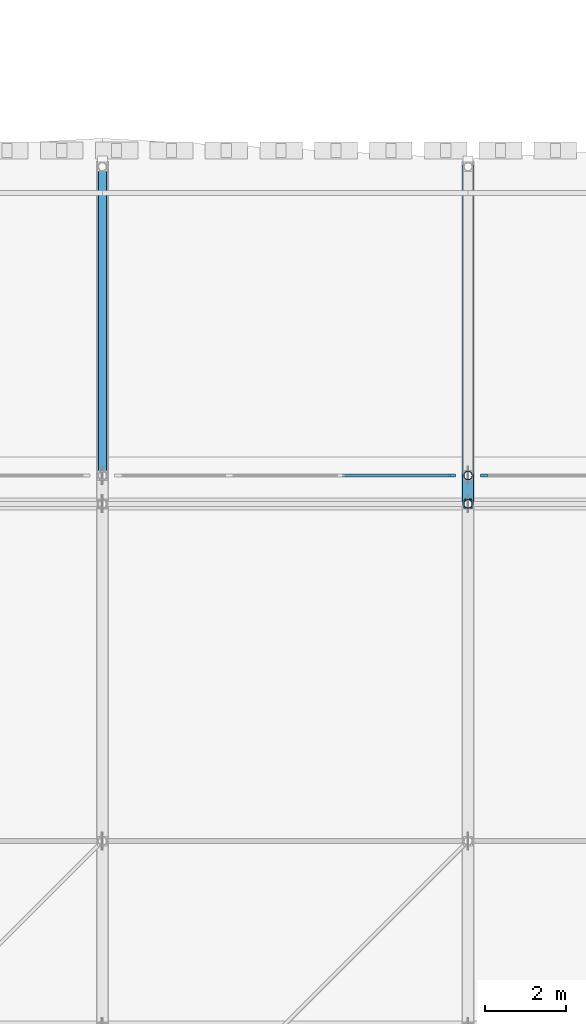
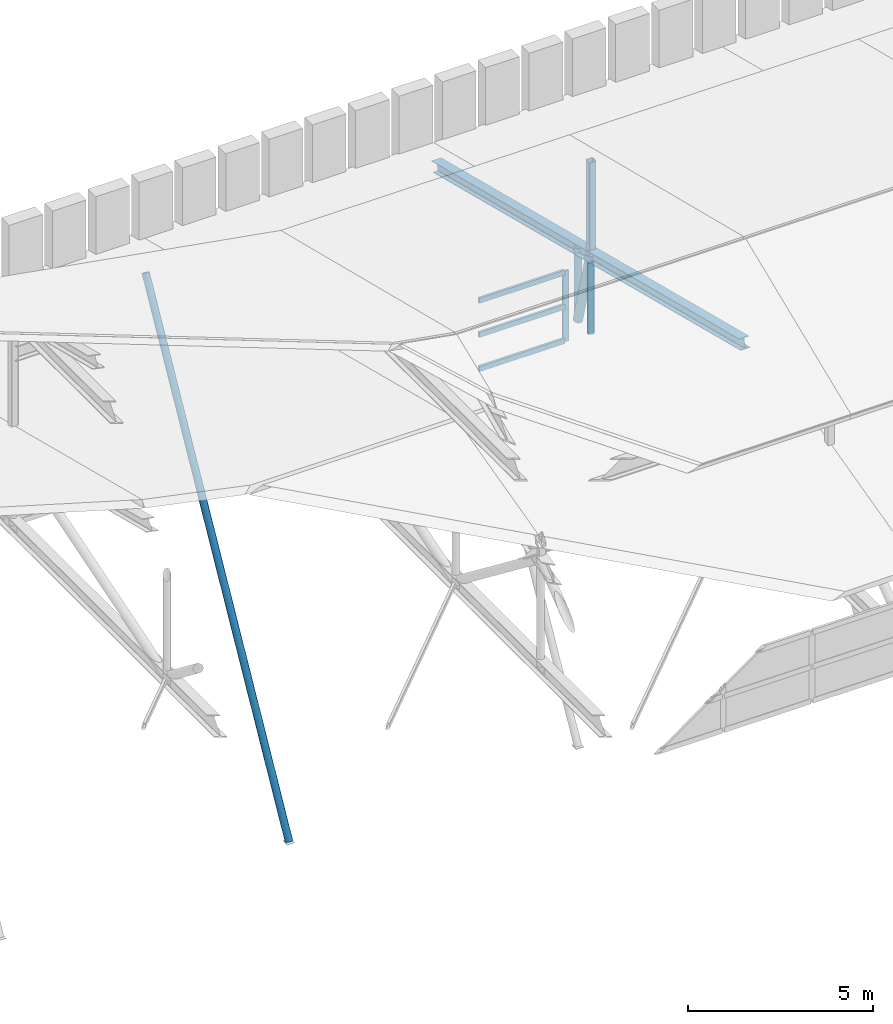
# One storey, part 9 of 42: 11 members, 2 elements without a shape of their own.
"""IFC4 building model written with IfcOpenShell, lengths in metres."""

from ifc_helpers import new_model, si_unit, direction, frame, origin, origin_2d, place, context, subcontext, project, spatial, rectangle, hollow_rectangle, hollow_circle, i_section, extrude, material, material_profile, profile_set, type_object, element, aggregate, save


model = new_model("IFC4")

# Units and contexts
model_context = context("Model", 3, precision=1e-05, world=origin(), true_north=direction((0.0, 1.0)))
body_context = subcontext(model_context, "Body", "Model", "MODEL_VIEW")
ifc_project = project(units=[si_unit("LENGTHUNIT", "METRE"), si_unit("AREAUNIT", "SQUARE_METRE"), si_unit("VOLUMEUNIT", "CUBIC_METRE"), si_unit("PLANEANGLEUNIT", "RADIAN"), si_unit("MASSUNIT", "GRAM", prefix="KILO")], contexts=[model_context])

# Site, building, storey
site_placement = place(None, origin())
site = spatial("IfcSite", under=ifc_project, at=site_placement, CompositionType="ELEMENT")
building_placement = place(site_placement, origin())
building = spatial("IfcBuilding", under=site, at=building_placement, Name="Bozkorgan Art Gallery", CompositionType="ELEMENT")
storey_placement = place(building_placement, frame((0.0, 0.0, 28.800048828125)))
storey = spatial("IfcBuildingStorey", under=building, at=storey_placement, Name="RF", CompositionType="ELEMENT", Elevation=28.800048828125)

# Curtain wall, member
ifc_material_1 = material(Name="Anodised Bronze Aluminium", Category="aluminium")
curtain_wall_type = type_object("IfcCurtainWallType", Name="CW-CW-28", PredefinedType="NOTDEFINED", material=ifc_material_1)
curtain_wall_1_placement = place(storey_placement, origin())
curtain_wall_1 = element("IfcCurtainWall", 1, at=curtain_wall_1_placement, inside=storey, type_object=curtain_wall_type, Name="RF unitised curtain wall CW-RF-V1-N-20", PredefinedType="NOTDEFINED")
ifc_material_profile_1 = material_profile(ifc_material_1, rectangle(XDim=0.06494140625, YDim=0.179931640625, at=origin_2d()), Name="ALU MULLION 65x180")
ifc_profile_set_1 = profile_set([ifc_material_profile_1], Name="Anodised Bronze Aluminium")
member_type_1 = type_object("IfcMemberType", Name="CWM-01", PredefinedType="MULLION", material=ifc_profile_set_1)
member_1_placement = place(storey_placement, frame((28.607421875, 20.0, -0.324951171875), z_axis=(0.0, 0.0, 1.0), x_axis=(0.0, 1.0, 0.0)))
member_1 = element("IfcMember", 2, at=member_1_placement, type_object=member_type_1, Name="CW-28 mullion 4", PredefinedType="MULLION", context=body_context, shape_type="SweptSolid", body=[
    extrude(rectangle(XDim=0.06494140625, YDim=0.179931640625, at=origin_2d()), origin(), (0.0, 0.0, 1.0), 2.324951171875),
])

curtain_wall_2_placement = place(storey_placement, origin())
curtain_wall_2 = element("IfcCurtainWall", 3, at=curtain_wall_2_placement, inside=storey, type_object=curtain_wall_type, Name="RF unitised curtain wall CW-RF-V1-N-29", PredefinedType="NOTDEFINED")
member_2_placement = place(storey_placement, frame((29.392578125, 20.0, -0.324951171875), z_axis=(0.0, 0.0, 1.0), x_axis=(0.0, 1.0, 0.0)))
member_2 = element("IfcMember", 4, at=member_2_placement, type_object=member_type_1, Name="CW-28 mullion 1", PredefinedType="MULLION", context=body_context, shape_type="SweptSolid", body=[
    extrude(rectangle(XDim=0.06494140625, YDim=0.179931640625, at=origin_2d()), origin(), (0.0, 0.0, 1.0), 2.324951171875),
])
aggregate(curtain_wall_2, [member_2])

# Member
ifc_material_profile_2 = material_profile(ifc_material_1, rectangle(XDim=0.074951171875, YDim=0.169921875, at=origin_2d()), Name="ALU TRANSOM 75x170")
ifc_profile_set_2 = profile_set([ifc_material_profile_2], Name="Anodised Bronze Aluminium")
member_type_2 = type_object("IfcMemberType", Name="CWT-02", PredefinedType="USERDEFINED", material=ifc_profile_set_2)
member_3_placement = place(storey_placement, frame((25.91259765625, 20.0, -0.28759765625), z_axis=(1.0, 0.0, 0.0), x_axis=(0.0, 1.0, 0.0)))
member_3 = element("IfcMember", 5, at=member_3_placement, type_object=member_type_2, Name="CW-28 transom 3.1", ObjectType="TRANSOM", PredefinedType="USERDEFINED", context=body_context, shape_type="SweptSolid", body=[
    extrude(rectangle(XDim=0.074951171875, YDim=0.169921875, at=origin_2d()), origin(), (0.0, 0.0, 1.0), 2.662353515625),
])

member_4_placement = place(storey_placement, frame((25.91259765625, 20.0, 0.837890625), z_axis=(1.0, 0.0, 0.0), x_axis=(0.0, 1.0, 0.0)))
member_4 = element("IfcMember", 6, at=member_4_placement, type_object=member_type_2, Name="CW-28 transom 3.2", ObjectType="TRANSOM", PredefinedType="USERDEFINED", context=body_context, shape_type="SweptSolid", body=[
    extrude(rectangle(XDim=0.074951171875, YDim=0.169921875, at=origin_2d()), origin(), (0.0, 0.0, 1.0), 2.662353515625),
])

member_5_placement = place(storey_placement, frame((25.91259765625, 20.0, 1.96240234375), z_axis=(1.0, 0.0, 0.0), x_axis=(0.0, 1.0, 0.0)))
member_5 = element("IfcMember", 7, at=member_5_placement, type_object=member_type_2, Name="CW-28 transom 3.3", ObjectType="TRANSOM", PredefinedType="USERDEFINED", context=body_context, shape_type="SweptSolid", body=[
    extrude(rectangle(XDim=0.074951171875, YDim=0.169921875, at=origin_2d()), origin(), (0.0, 0.0, 1.0), 2.662353515625),
])

aggregate(curtain_wall_1, [member_1, member_3, member_4, member_5])

# Members
ifc_material_2 = material(Name="Steel S355J2", Category="steel")
ifc_material_profile_3 = material_profile(ifc_material_2, hollow_rectangle(XDim=0.219970703125, YDim=0.219970703125, WallThickness=0.012451171875, InnerFilletRadius=0.018798828125, OuterFilletRadius=0.03125, at=origin_2d()), Name="SHS 220x220x12.5")
ifc_profile_set_3 = profile_set([ifc_material_profile_3], Name="Steel S355J2")
member_type_3 = type_object("IfcMemberType", Name="MEMBER-CP-34", PredefinedType="POST", material=ifc_profile_set_3)
member_6_placement = place(storey_placement, frame((29.0, 19.300048828125, 2.826904296875), z_axis=(0.0, 0.0, 1.0), x_axis=(1.0, 0.0, 0.0)))
element("IfcMember", 8, at=member_6_placement, inside=storey, type_object=member_type_3, Name="V1 upper clerestory truss post 3N", PredefinedType="POST", context=body_context, shape_type="SweptSolid", body=[
    extrude(hollow_rectangle(XDim=0.219970703125, YDim=0.219970703125, WallThickness=0.012451171875, InnerFilletRadius=0.018798828125, OuterFilletRadius=0.03125, at=origin_2d()), origin(), (0.0, 0.0, 1.0), 3.09814453125),
])
ifc_material_profile_4 = material_profile(ifc_material_2, hollow_circle(Radius=0.109619140625, WallThickness=0.010009765625, at=origin_2d()), Name="CHS 219.1x10")
ifc_profile_set_4 = profile_set([ifc_material_profile_4], Name="Steel S355J2")
member_type_4 = type_object("IfcMemberType", Name="MEMBER-ES-44", PredefinedType="BRACE", material=ifc_profile_set_4)
member_7_placement = place(storey_placement, frame((20.0, 20.0, -13.800048828125), z_axis=(0.0, 0.48251516305, 0.875887616893), x_axis=(-1.0, 0.0, 0.0)))
element("IfcMember", 9, at=member_7_placement, inside=storey, type_object=member_type_4, Name="ROOF-V1-MAIN north swept-eave diagonal tree-strut 3", PredefinedType="BRACE", context=body_context, shape_type="SweptSolid", body=[
    extrude(hollow_circle(Radius=0.109619140625, WallThickness=0.010009765625, at=origin_2d()), origin(), (0.0, 0.0, 1.0), 16.041015625),
])
ifc_material_profile_5 = material_profile(ifc_material_2, i_section(OverallWidth=0.300048828125, OverallDepth=0.35009765625, WebThickness=0.010009765625, FlangeThickness=0.017578125, FilletRadius=0.027099609375, at=origin_2d()), Name="HEA 360")
ifc_profile_set_5 = profile_set([ifc_material_profile_5], Name="Steel S355J2")
member_type_5 = type_object("IfcMemberType", Name="MEMBER-TC-31", PredefinedType="CHORD", material=ifc_profile_set_5)
member_8_placement = place(storey_placement, frame((29.0, 11.0, 4.92724609375), z_axis=(0.0, 0.969442389879, -0.245319083452), x_axis=(-1.0, 0.0, 0.0)))
element("IfcMember", 10, at=member_8_placement, inside=storey, type_object=member_type_5, Name="ROOF-V1-MAIN roof truss 4 north top chord", PredefinedType="CHORD", context=body_context, shape_type="SweptSolid", body=[
    extrude(i_section(OverallWidth=0.300048828125, OverallDepth=0.35009765625, WebThickness=0.010009765625, FlangeThickness=0.017578125, FilletRadius=0.027099609375, at=origin_2d()), origin(), (0.0, 0.0, 1.0), 17.123291015625),
])
ifc_material_profile_6 = material_profile(ifc_material_2, hollow_circle(Radius=0.109619140625, WallThickness=0.010009765625, at=origin_2d()), Name="CHS 219.1x10")
ifc_profile_set_6 = profile_set([ifc_material_profile_6], Name="Steel S355J2")
member_type_6 = type_object("IfcMemberType", Name="MEMBER-TP-78", PredefinedType="POST", material=ifc_profile_set_6)
member_9_placement = place(storey_placement, frame((29.0, 19.300048828125, 0.25), z_axis=(0.0, 0.0, 1.0), x_axis=(1.0, 0.0, 0.0)))
element("IfcMember", 11, at=member_9_placement, inside=storey, type_object=member_type_6, Name="ROOF-V1-MAIN roof truss 4 post 3", PredefinedType="POST", context=body_context, shape_type="SweptSolid", body=[
    extrude(hollow_circle(Radius=0.109619140625, WallThickness=0.010009765625, at=origin_2d()), origin(), (0.0, 0.0, 1.0), 2.576904296875),
])
member_10_placement = place(storey_placement, frame((29.0, 20.0, 0.25), z_axis=(0.0, 0.0, 1.0), x_axis=(1.0, 0.0, 0.0)))
element("IfcMember", 12, at=member_10_placement, inside=storey, type_object=member_type_6, Name="ROOF-V1-MAIN roof truss 4 post 4", PredefinedType="POST", context=body_context, shape_type="SweptSolid", body=[
    extrude(hollow_circle(Radius=0.109619140625, WallThickness=0.010009765625, at=origin_2d()), origin(), (0.0, 0.0, 1.0), 2.39990234375),
])
ifc_material_profile_7 = material_profile(ifc_material_2, hollow_circle(Radius=0.136474609375, WallThickness=0.012451171875, at=origin_2d()), Name="CHS 273x12.5")
ifc_profile_set_7 = profile_set([ifc_material_profile_7], Name="Steel S355J2")
member_type_7 = type_object("IfcMemberType", Name="MEMBER-TW-28", PredefinedType="BRACE", material=ifc_profile_set_7)
member_11_placement = place(storey_placement, frame((29.0, 19.300048828125, 2.826904296875), z_axis=(0.0, 0.262127020499, -0.965033380316), x_axis=(-1.0, 0.0, 0.0)))
element("IfcMember", 13, at=member_11_placement, inside=storey, type_object=member_type_7, Name="ROOF-V1-MAIN roof truss 4 diagonal 4", PredefinedType="BRACE", context=body_context, shape_type="SweptSolid", body=[
    extrude(hollow_circle(Radius=0.136474609375, WallThickness=0.012451171875, at=origin_2d()), origin(), (0.0, 0.0, 1.0), 2.670166015625),
])

save(model, "model.ifc")
